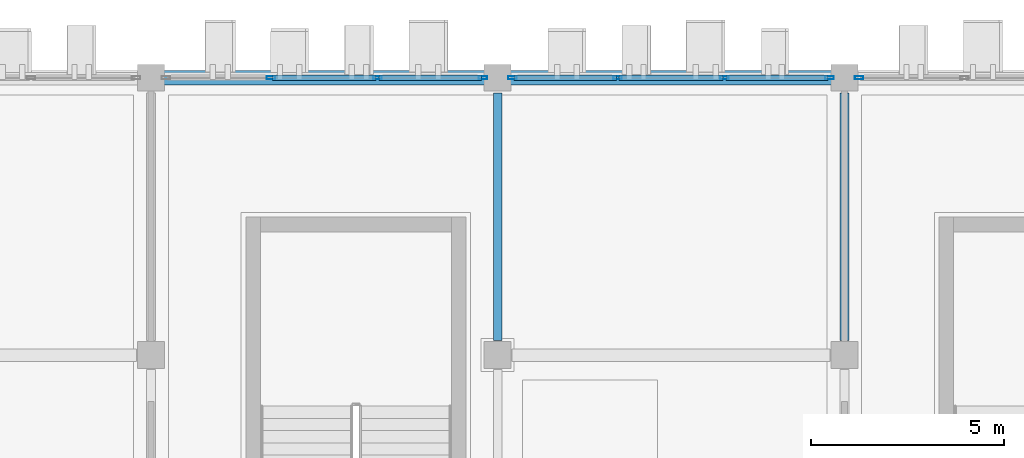
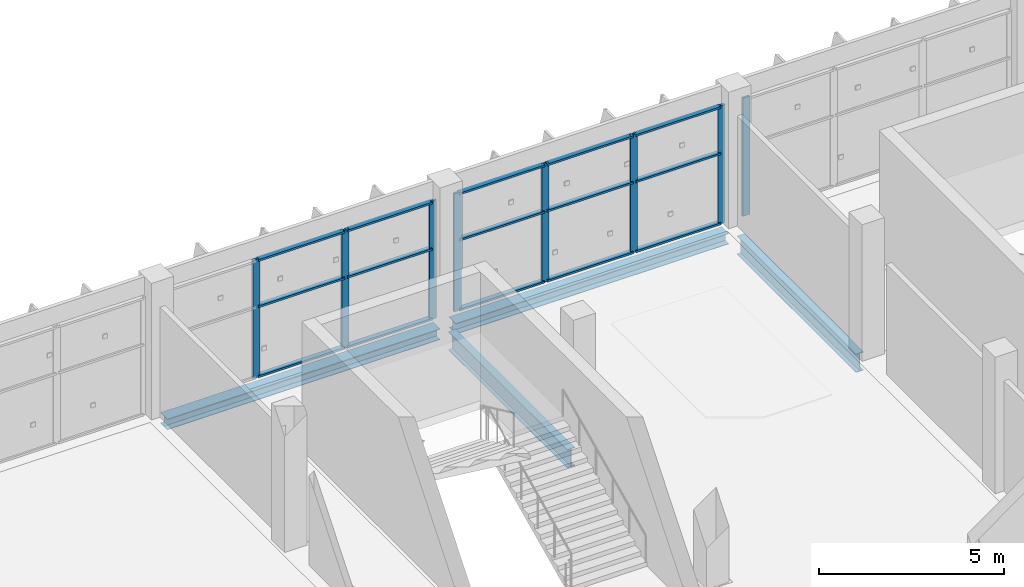
# One storey, part 74 of 151: 23 members, 4 beams, 3 elements without a shape of their own.
"""IFC4 building model written with IfcOpenShell, lengths in metres."""

from ifc_helpers import new_model, si_unit, direction, frame, origin, origin_2d, place, context, subcontext, project, spatial, hollow_rectangle, i_section, extrude, material, layer, layer_set, material_profile, profile_set, type_object, element, aggregate, save


model = new_model("IFC4")

# Units and contexts
model_context = context("Model", 3, precision=1e-05, world=origin(), true_north=direction((0.0, 1.0)))
body_context = subcontext(model_context, "Body", "Model", "MODEL_VIEW")
ifc_project = project(units=[si_unit("LENGTHUNIT", "METRE"), si_unit("AREAUNIT", "SQUARE_METRE"), si_unit("VOLUMEUNIT", "CUBIC_METRE"), si_unit("PLANEANGLEUNIT", "RADIAN"), si_unit("MASSUNIT", "GRAM", prefix="KILO")], contexts=[model_context])

# Site, building, storey
site_placement = place(None, origin())
site = spatial("IfcSite", under=ifc_project, at=site_placement, CompositionType="ELEMENT")
building_placement = place(site_placement, origin())
building = spatial("IfcBuilding", under=site, at=building_placement, Name="Celestram Park Convention Centre", CompositionType="ELEMENT")
storey_placement = place(building_placement, frame((0.0, 0.0, 10.800048828125)))
storey = spatial("IfcBuildingStorey", under=building, at=storey_placement, Name="L02", CompositionType="ELEMENT", Elevation=10.800048828125)

# Curtain wall, members
ifc_material_1 = material(Name="Anodised Aluminium Alloy 6063-T6", Category="aluminium")
ifc_layer = layer(ifc_material_1, 0.179931640625)
ifc_layer_set = layer_set([ifc_layer], Name="Anodised Aluminium Alloy 6063-T6")
curtain_wall_type = type_object("IfcCurtainWallType", Name="ARC-CW-830X389", PredefinedType="NOTDEFINED", material=ifc_layer_set)
curtain_wall_1_placement = place(storey_placement, origin())
curtain_wall_1 = element("IfcCurtainWall", 1, at=curtain_wall_1_placement, inside=storey, type_object=curtain_wall_type, Name="Unitised curtain wall CU-L02-153", PredefinedType="NOTDEFINED")
ifc_material_profile_1 = material_profile(ifc_material_1, hollow_rectangle(XDim=0.074951171875, YDim=0.219970703125, WallThickness=0.00390625, at=origin_2d()), Name="ALU75X220X4")
ifc_profile_set_1 = profile_set([ifc_material_profile_1], Name="Anodised Aluminium Alloy 6063-T6")
member_type_1 = type_object("IfcMemberType", Name="ARC-CWM-180", PredefinedType="MULLION", material=ifc_profile_set_1)
member_1_placement = place(storey_placement, frame((66.115966796875, 165.60009765625, 0.0), z_axis=(0.0, 0.0, 1.0), x_axis=(0.0, 1.0, 0.0)))
member_1 = element("IfcMember", 2, at=member_1_placement, type_object=member_type_1, Name="CW-83X38 mullion 2", PredefinedType="MULLION", context=body_context, shape_type="SweptSolid", body=[
    extrude(hollow_rectangle(XDim=0.074951171875, YDim=0.219970703125, WallThickness=0.00390625, at=origin_2d()), origin(), (0.0, 0.0, 1.0), 3.89404296875),
])
member_2_placement = place(storey_placement, frame((68.884033203125, 165.60009765625, 0.0), z_axis=(0.0, 0.0, 1.0), x_axis=(0.0, 1.0, 0.0)))
member_2 = element("IfcMember", 3, at=member_2_placement, type_object=member_type_1, Name="CW-83X38 mullion 3", PredefinedType="MULLION", context=body_context, shape_type="SweptSolid", body=[
    extrude(hollow_rectangle(XDim=0.074951171875, YDim=0.219970703125, WallThickness=0.00390625, at=origin_2d()), origin(), (0.0, 0.0, 1.0), 3.89404296875),
])
member_3_placement = place(storey_placement, frame((71.614501953125, 165.60009765625, 0.0), z_axis=(0.0, 0.0, 1.0), x_axis=(0.0, 1.0, 0.0)))
member_3 = element("IfcMember", 4, at=member_3_placement, type_object=member_type_1, Name="CW-83X38 mullion 4", PredefinedType="MULLION", context=body_context, shape_type="SweptSolid", body=[
    extrude(hollow_rectangle(XDim=0.074951171875, YDim=0.219970703125, WallThickness=0.00390625, at=origin_2d()), origin(), (0.0, 0.0, 1.0), 3.89404296875),
])

curtain_wall_2_placement = place(storey_placement, origin())
curtain_wall_2 = element("IfcCurtainWall", 5, at=curtain_wall_2_placement, inside=storey, type_object=curtain_wall_type, Name="Unitised curtain wall CU-L02-154", PredefinedType="NOTDEFINED")
member_4_placement = place(storey_placement, frame((72.385498046875, 165.60009765625, 0.0), z_axis=(0.0, 0.0, 1.0), x_axis=(0.0, 1.0, 0.0)))
member_4 = element("IfcMember", 6, at=member_4_placement, type_object=member_type_1, Name="CW-83X38 mullion 1", PredefinedType="MULLION", context=body_context, shape_type="SweptSolid", body=[
    extrude(hollow_rectangle(XDim=0.074951171875, YDim=0.219970703125, WallThickness=0.00390625, at=origin_2d()), origin(), (0.0, 0.0, 1.0), 3.89404296875),
])
member_5_placement = place(storey_placement, frame((75.115966796875, 165.60009765625, 0.0), z_axis=(0.0, 0.0, 1.0), x_axis=(0.0, 1.0, 0.0)))
member_5 = element("IfcMember", 7, at=member_5_placement, type_object=member_type_1, Name="CW-83X38 mullion 2", PredefinedType="MULLION", context=body_context, shape_type="SweptSolid", body=[
    extrude(hollow_rectangle(XDim=0.074951171875, YDim=0.219970703125, WallThickness=0.00390625, at=origin_2d()), origin(), (0.0, 0.0, 1.0), 3.89404296875),
])
member_6_placement = place(storey_placement, frame((77.884033203125, 165.60009765625, 0.0), z_axis=(0.0, 0.0, 1.0), x_axis=(0.0, 1.0, 0.0)))
member_6 = element("IfcMember", 8, at=member_6_placement, type_object=member_type_1, Name="CW-83X38 mullion 3", PredefinedType="MULLION", context=body_context, shape_type="SweptSolid", body=[
    extrude(hollow_rectangle(XDim=0.074951171875, YDim=0.219970703125, WallThickness=0.00390625, at=origin_2d()), origin(), (0.0, 0.0, 1.0), 3.89404296875),
])
member_7_placement = place(storey_placement, frame((80.614501953125, 165.60009765625, 0.0), z_axis=(0.0, 0.0, 1.0), x_axis=(0.0, 1.0, 0.0)))
member_7 = element("IfcMember", 9, at=member_7_placement, type_object=member_type_1, Name="CW-83X38 mullion 4", PredefinedType="MULLION", context=body_context, shape_type="SweptSolid", body=[
    extrude(hollow_rectangle(XDim=0.074951171875, YDim=0.219970703125, WallThickness=0.00390625, at=origin_2d()), origin(), (0.0, 0.0, 1.0), 3.89404296875),
])

# Curtain wall, member
curtain_wall_3_placement = place(storey_placement, origin())
curtain_wall_3 = element("IfcCurtainWall", 10, at=curtain_wall_3_placement, inside=storey, type_object=curtain_wall_type, Name="Unitised curtain wall CU-L02-155", PredefinedType="NOTDEFINED")
member_8_placement = place(storey_placement, frame((81.385498046875, 165.60009765625, 0.0), z_axis=(0.0, 0.0, 1.0), x_axis=(0.0, 1.0, 0.0)))
member_8 = element("IfcMember", 11, at=member_8_placement, type_object=member_type_1, Name="CW-83X38 mullion 1", PredefinedType="MULLION", context=body_context, shape_type="SweptSolid", body=[
    extrude(hollow_rectangle(XDim=0.074951171875, YDim=0.219970703125, WallThickness=0.00390625, at=origin_2d()), origin(), (0.0, 0.0, 1.0), 3.89404296875),
])
aggregate(curtain_wall_3, [member_8])

# Member
ifc_material_profile_2 = material_profile(ifc_material_1, hollow_rectangle(XDim=0.14990234375, YDim=0.06494140625, WallThickness=0.0029296875, at=origin_2d()), Name="ALU150X65X3")
ifc_profile_set_2 = profile_set([ifc_material_profile_2], Name="Anodised Aluminium Alloy 6063-T6")
member_type_2 = type_object("IfcMemberType", Name="ARC-CWT-150", PredefinedType="USERDEFINED", material=ifc_profile_set_2)
member_9_placement = place(storey_placement, frame((66.153564453125, 165.60009765625, 0.032470703125), z_axis=(1.0, 0.0, 0.0), x_axis=(0.0, 1.0, 0.0)))
member_9 = element("IfcMember", 12, at=member_9_placement, type_object=member_type_2, Name="CW-83X38 transom 2.1", ObjectType="TRANSOM", PredefinedType="USERDEFINED", context=body_context, shape_type="SweptSolid", body=[
    extrude(hollow_rectangle(XDim=0.14990234375, YDim=0.06494140625, WallThickness=0.0029296875, at=origin_2d()), origin(), (0.0, 0.0, 1.0), 2.69287109375),
])

member_10_placement = place(storey_placement, frame((66.153564453125, 165.60009765625, 2.3359375), z_axis=(1.0, 0.0, 0.0), x_axis=(0.0, 1.0, 0.0)))
member_10 = element("IfcMember", 13, at=member_10_placement, type_object=member_type_2, Name="CW-83X38 transom 2.2", ObjectType="TRANSOM", PredefinedType="USERDEFINED", context=body_context, shape_type="SweptSolid", body=[
    extrude(hollow_rectangle(XDim=0.14990234375, YDim=0.06494140625, WallThickness=0.0029296875, at=origin_2d()), origin(), (0.0, 0.0, 1.0), 2.69287109375),
])

member_11_placement = place(storey_placement, frame((66.153564453125, 165.60009765625, 3.861572265625), z_axis=(1.0, 0.0, 0.0), x_axis=(0.0, 1.0, 0.0)))
member_11 = element("IfcMember", 14, at=member_11_placement, type_object=member_type_2, Name="CW-83X38 transom 2.3", ObjectType="TRANSOM", PredefinedType="USERDEFINED", context=body_context, shape_type="SweptSolid", body=[
    extrude(hollow_rectangle(XDim=0.14990234375, YDim=0.06494140625, WallThickness=0.0029296875, at=origin_2d()), origin(), (0.0, 0.0, 1.0), 2.69287109375),
])

member_12_placement = place(storey_placement, frame((68.92138671875, 165.60009765625, 0.032470703125), z_axis=(1.0, 0.0, 0.0), x_axis=(0.0, 1.0, 0.0)))
member_12 = element("IfcMember", 15, at=member_12_placement, type_object=member_type_2, Name="CW-83X38 transom 3.1", ObjectType="TRANSOM", PredefinedType="USERDEFINED", context=body_context, shape_type="SweptSolid", body=[
    extrude(hollow_rectangle(XDim=0.14990234375, YDim=0.06494140625, WallThickness=0.0029296875, at=origin_2d()), origin(), (0.0, 0.0, 1.0), 2.655517578125),
])

member_13_placement = place(storey_placement, frame((68.92138671875, 165.60009765625, 2.3359375), z_axis=(1.0, 0.0, 0.0), x_axis=(0.0, 1.0, 0.0)))
member_13 = element("IfcMember", 16, at=member_13_placement, type_object=member_type_2, Name="CW-83X38 transom 3.2", ObjectType="TRANSOM", PredefinedType="USERDEFINED", context=body_context, shape_type="SweptSolid", body=[
    extrude(hollow_rectangle(XDim=0.14990234375, YDim=0.06494140625, WallThickness=0.0029296875, at=origin_2d()), origin(), (0.0, 0.0, 1.0), 2.655517578125),
])

member_14_placement = place(storey_placement, frame((68.92138671875, 165.60009765625, 3.861572265625), z_axis=(1.0, 0.0, 0.0), x_axis=(0.0, 1.0, 0.0)))
member_14 = element("IfcMember", 17, at=member_14_placement, type_object=member_type_2, Name="CW-83X38 transom 3.3", ObjectType="TRANSOM", PredefinedType="USERDEFINED", context=body_context, shape_type="SweptSolid", body=[
    extrude(hollow_rectangle(XDim=0.14990234375, YDim=0.06494140625, WallThickness=0.0029296875, at=origin_2d()), origin(), (0.0, 0.0, 1.0), 2.655517578125),
])

aggregate(curtain_wall_1, [member_1, member_2, member_3, member_9, member_10, member_11, member_12, member_13, member_14])

member_15_placement = place(storey_placement, frame((72.423095703125, 165.60009765625, 0.032470703125), z_axis=(1.0, 0.0, 0.0), x_axis=(0.0, 1.0, 0.0)))
member_15 = element("IfcMember", 18, at=member_15_placement, type_object=member_type_2, Name="CW-83X38 transom 1.1", ObjectType="TRANSOM", PredefinedType="USERDEFINED", context=body_context, shape_type="SweptSolid", body=[
    extrude(hollow_rectangle(XDim=0.14990234375, YDim=0.06494140625, WallThickness=0.0029296875, at=origin_2d()), origin(), (0.0, 0.0, 1.0), 2.655517578125),
])

member_16_placement = place(storey_placement, frame((72.423095703125, 165.60009765625, 2.3359375), z_axis=(1.0, 0.0, 0.0), x_axis=(0.0, 1.0, 0.0)))
member_16 = element("IfcMember", 19, at=member_16_placement, type_object=member_type_2, Name="CW-83X38 transom 1.2", ObjectType="TRANSOM", PredefinedType="USERDEFINED", context=body_context, shape_type="SweptSolid", body=[
    extrude(hollow_rectangle(XDim=0.14990234375, YDim=0.06494140625, WallThickness=0.0029296875, at=origin_2d()), origin(), (0.0, 0.0, 1.0), 2.655517578125),
])

member_17_placement = place(storey_placement, frame((72.423095703125, 165.60009765625, 3.861572265625), z_axis=(1.0, 0.0, 0.0), x_axis=(0.0, 1.0, 0.0)))
member_17 = element("IfcMember", 20, at=member_17_placement, type_object=member_type_2, Name="CW-83X38 transom 1.3", ObjectType="TRANSOM", PredefinedType="USERDEFINED", context=body_context, shape_type="SweptSolid", body=[
    extrude(hollow_rectangle(XDim=0.14990234375, YDim=0.06494140625, WallThickness=0.0029296875, at=origin_2d()), origin(), (0.0, 0.0, 1.0), 2.655517578125),
])

member_18_placement = place(storey_placement, frame((75.153564453125, 165.60009765625, 0.032470703125), z_axis=(1.0, 0.0, 0.0), x_axis=(0.0, 1.0, 0.0)))
member_18 = element("IfcMember", 21, at=member_18_placement, type_object=member_type_2, Name="CW-83X38 transom 2.1", ObjectType="TRANSOM", PredefinedType="USERDEFINED", context=body_context, shape_type="SweptSolid", body=[
    extrude(hollow_rectangle(XDim=0.14990234375, YDim=0.06494140625, WallThickness=0.0029296875, at=origin_2d()), origin(), (0.0, 0.0, 1.0), 2.69287109375),
])

member_19_placement = place(storey_placement, frame((75.153564453125, 165.60009765625, 2.3359375), z_axis=(1.0, 0.0, 0.0), x_axis=(0.0, 1.0, 0.0)))
member_19 = element("IfcMember", 22, at=member_19_placement, type_object=member_type_2, Name="CW-83X38 transom 2.2", ObjectType="TRANSOM", PredefinedType="USERDEFINED", context=body_context, shape_type="SweptSolid", body=[
    extrude(hollow_rectangle(XDim=0.14990234375, YDim=0.06494140625, WallThickness=0.0029296875, at=origin_2d()), origin(), (0.0, 0.0, 1.0), 2.69287109375),
])

member_20_placement = place(storey_placement, frame((75.153564453125, 165.60009765625, 3.861572265625), z_axis=(1.0, 0.0, 0.0), x_axis=(0.0, 1.0, 0.0)))
member_20 = element("IfcMember", 23, at=member_20_placement, type_object=member_type_2, Name="CW-83X38 transom 2.3", ObjectType="TRANSOM", PredefinedType="USERDEFINED", context=body_context, shape_type="SweptSolid", body=[
    extrude(hollow_rectangle(XDim=0.14990234375, YDim=0.06494140625, WallThickness=0.0029296875, at=origin_2d()), origin(), (0.0, 0.0, 1.0), 2.69287109375),
])

member_21_placement = place(storey_placement, frame((77.92138671875, 165.60009765625, 0.032470703125), z_axis=(1.0, 0.0, 0.0), x_axis=(0.0, 1.0, 0.0)))
member_21 = element("IfcMember", 24, at=member_21_placement, type_object=member_type_2, Name="CW-83X38 transom 3.1", ObjectType="TRANSOM", PredefinedType="USERDEFINED", context=body_context, shape_type="SweptSolid", body=[
    extrude(hollow_rectangle(XDim=0.14990234375, YDim=0.06494140625, WallThickness=0.0029296875, at=origin_2d()), origin(), (0.0, 0.0, 1.0), 2.655517578125),
])

member_22_placement = place(storey_placement, frame((77.92138671875, 165.60009765625, 2.3359375), z_axis=(1.0, 0.0, 0.0), x_axis=(0.0, 1.0, 0.0)))
member_22 = element("IfcMember", 25, at=member_22_placement, type_object=member_type_2, Name="CW-83X38 transom 3.2", ObjectType="TRANSOM", PredefinedType="USERDEFINED", context=body_context, shape_type="SweptSolid", body=[
    extrude(hollow_rectangle(XDim=0.14990234375, YDim=0.06494140625, WallThickness=0.0029296875, at=origin_2d()), origin(), (0.0, 0.0, 1.0), 2.655517578125),
])

member_23_placement = place(storey_placement, frame((77.92138671875, 165.60009765625, 3.861572265625), z_axis=(1.0, 0.0, 0.0), x_axis=(0.0, 1.0, 0.0)))
member_23 = element("IfcMember", 26, at=member_23_placement, type_object=member_type_2, Name="CW-83X38 transom 3.3", ObjectType="TRANSOM", PredefinedType="USERDEFINED", context=body_context, shape_type="SweptSolid", body=[
    extrude(hollow_rectangle(XDim=0.14990234375, YDim=0.06494140625, WallThickness=0.0029296875, at=origin_2d()), origin(), (0.0, 0.0, 1.0), 2.655517578125),
])

aggregate(curtain_wall_2, [member_4, member_5, member_6, member_7, member_15, member_16, member_17, member_18, member_19, member_20, member_21, member_22, member_23])

# Beams
ifc_material_2 = material(Name="Steel ASTM A992 Grade 50", Category="steel")
ifc_material_profile_3 = material_profile(ifc_material_2, i_section(OverallWidth=0.22900390625, OverallDepth=0.612060546875, WebThickness=0.011962890625, FlangeThickness=0.01953125, at=origin_2d()), Name="W24X84")
ifc_profile_set_3 = profile_set([ifc_material_profile_3], Name="Steel ASTM A992 Grade 50")
beam_type_1 = type_object("IfcBeamType", Name="STR-BM-W24X84", PredefinedType="BEAM", material=ifc_profile_set_3)
for number, where, z_axis, x_axis, name in (
    (27, (72.0, 158.77294921875, -0.5859375), (0.0, 1.0, 0.0), (-1.0, 0.0, 0.0), "Primary Y-girder BG-L02-0078"),
    (28, (81.0, 158.77294921875, -0.5859375), (0.0, 1.0, 0.0), (-1.0, 0.0, 0.0), "Primary Y-girder BG-L02-0093"),
):
    element("IfcBeam", number, at=place(storey_placement, frame(where, z_axis=z_axis, x_axis=x_axis)), inside=storey, type_object=beam_type_1, Name=name, PredefinedType="BEAM", context=body_context, shape_type="SweptSolid", body=[
        extrude(i_section(OverallWidth=0.22900390625, OverallDepth=0.612060546875, WebThickness=0.011962890625, FlangeThickness=0.01953125, at=origin_2d()), origin(), (0.0, 0.0, 1.0), 6.428955078125),
    ])
ifc_material_profile_4 = material_profile(ifc_material_2, i_section(OverallWidth=0.367919921875, OverallDepth=0.35595703125, WebThickness=0.01123046875, FlangeThickness=0.01806640625, at=origin_2d()), Name="W14X90")
ifc_profile_set_4 = profile_set([ifc_material_profile_4], Name="Steel ASTM A992 Grade 50")
beam_type_2 = type_object("IfcBeamType", Name="STR-SPN-W14X90", PredefinedType="SPANDREL", material=ifc_profile_set_4)
for number, where, z_axis, x_axis, name in (
    (29, (63.248046875, 165.60009765625, -0.4580078125), (1.0, 0.0, 0.0), (0.0, 1.0, 0.0), "Primary X-girder BG-L02-0065"),
    (30, (72.248046875, 165.60009765625, -0.4580078125), (1.0, 0.0, 0.0), (0.0, 1.0, 0.0), "Primary X-girder BG-L02-0079"),
):
    element("IfcBeam", number, at=place(storey_placement, frame(where, z_axis=z_axis, x_axis=x_axis)), inside=storey, type_object=beam_type_2, Name=name, PredefinedType="SPANDREL", context=body_context, shape_type="SweptSolid", body=[
        extrude(i_section(OverallWidth=0.367919921875, OverallDepth=0.35595703125, WebThickness=0.01123046875, FlangeThickness=0.01806640625, at=origin_2d()), origin(), (0.0, 0.0, 1.0), 8.50390625),
    ])

save(model, "model.ifc")
